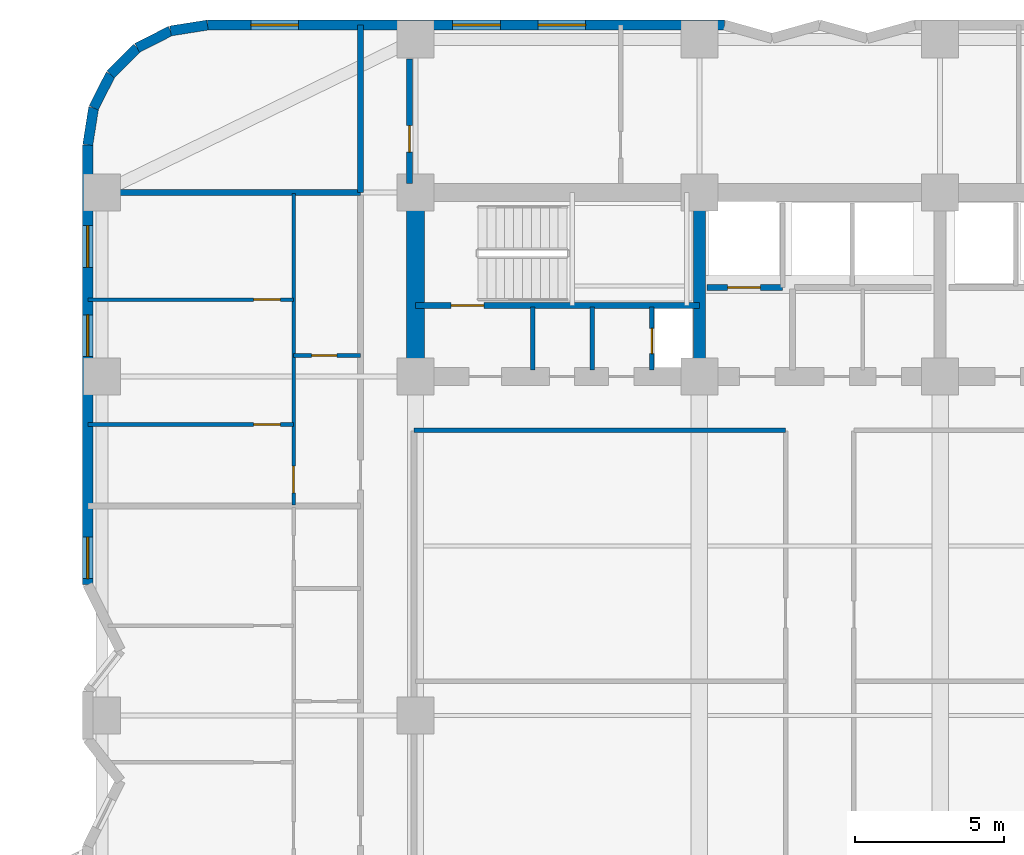
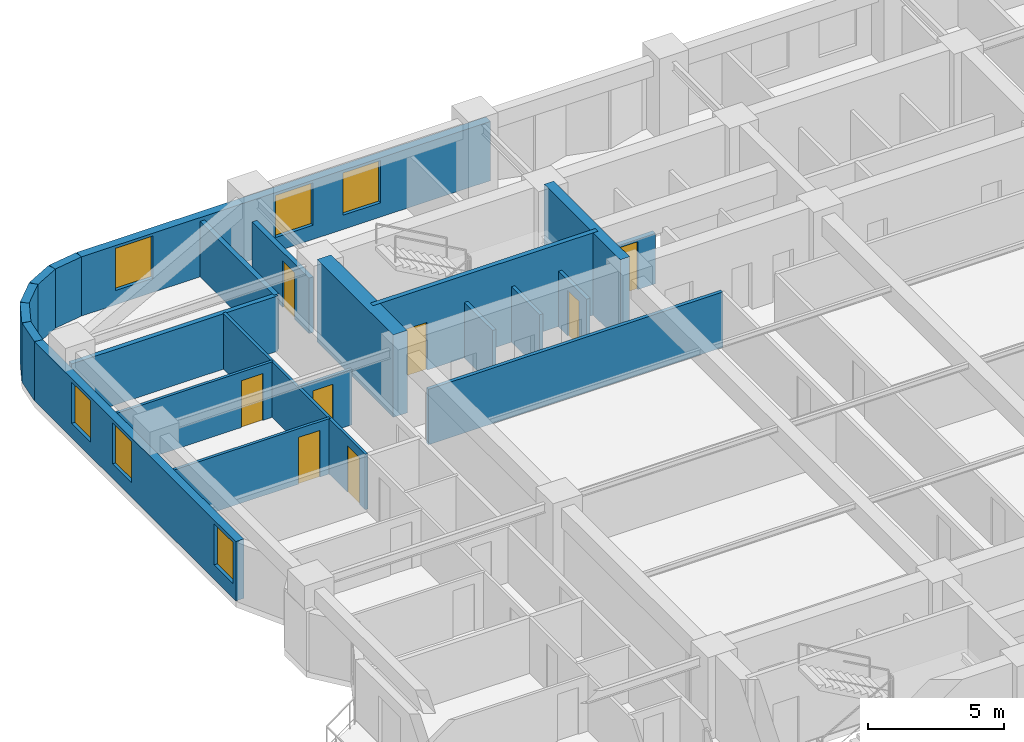
# One storey, part 6 of 10: 22 walls, 8 doors, 6 windows, 14 openings.
"""IFC4 building model written with IfcOpenShell, lengths in metres."""

from ifc_helpers import new_model, si_unit, direction, frame, frame_2d, origin, place, context, subcontext, project, spatial, rectangle, extrude, material, layer, layer_set, type_object, element, fill, save


model = new_model("IFC4")

# Units and contexts
model_context = context("Model", 3, precision=1e-05, world=origin(), true_north=direction((0.0, 1.0)))
body_context = subcontext(model_context, "Body", "Model", "MODEL_VIEW")
ifc_project = project(units=[si_unit("LENGTHUNIT", "METRE"), si_unit("AREAUNIT", "SQUARE_METRE"), si_unit("VOLUMEUNIT", "CUBIC_METRE"), si_unit("PLANEANGLEUNIT", "RADIAN"), si_unit("MASSUNIT", "GRAM", prefix="KILO")], contexts=[model_context])

# Site, building, storey
site_placement = place(None, origin())
site = spatial("IfcSite", under=ifc_project, at=site_placement, CompositionType="ELEMENT")
building_placement = place(site_placement, origin())
building = spatial("IfcBuilding", under=site, at=building_placement, Name="Svetorya Sky Lyceum", CompositionType="ELEMENT")
storey_placement = place(building_placement, frame((0.0, 0.0, 73.199951171875)))
storey = spatial("IfcBuildingStorey", under=building, at=storey_placement, Name="L18", CompositionType="ELEMENT", Elevation=73.199951171875)

# Walls
ifc_material_1 = material(Name="Concrete C40/50", Category="concrete")
ifc_layer_1 = layer(ifc_material_1, 0.39990234375)
ifc_layer_set_1 = layer_set([ifc_layer_1], Name="Concrete C40/50")
wall_type_1 = type_object("IfcWallType", Name="WL-CORE-400", PredefinedType="SHEAR", material=ifc_layer_set_1)
wall_1_placement = place(storey_placement, frame((35.14990234375, 39.89990234375, 0.0), z_axis=(0.0, 0.0, 1.0), x_axis=(0.0, 1.0, 0.0)))
element("IfcWall", 1, at=wall_1_placement, inside=storey, type_object=wall_type_1, Name="L18 NC Internal Shear Web WEB1", PredefinedType="SHEAR", context=body_context, shape_type="SweptSolid", body=[
    extrude(rectangle(XDim=5.60009765625, YDim=0.39990234375, at=frame_2d((2.800048828125, 0.0))), origin(), (0.0, 0.0, 1.0), 3.699951171875),
])
ifc_material_2 = material(Name="Concrete C60/75", Category="concrete")
ifc_layer_2 = layer(ifc_material_2, 0.60009765625)
ifc_layer_set_2 = layer_set([ifc_layer_2], Name="Concrete C60/75")
wall_type_2 = type_object("IfcWallType", Name="WL-CORE-600", PredefinedType="SHEAR", material=ifc_layer_set_2)
wall_2_placement = place(storey_placement, frame((25.60009765625, 39.89990234375, 0.0), z_axis=(0.0, 0.0, 1.0), x_axis=(0.0, 1.0, 0.0)))
element("IfcWall", 2, at=wall_2_placement, inside=storey, type_object=wall_type_2, Name="L18 NC West Core Shear Wall", PredefinedType="SHEAR", context=body_context, shape_type="SweptSolid", body=[
    extrude(rectangle(XDim=5.60009765625, YDim=0.60009765625, at=frame_2d((2.800048828125, 0.0))), origin(), (0.0, 0.0, 1.0), 3.699951171875),
])

# Wall, openings, windows
ifc_material_3 = material(Name="Putilovo limestone rainscreen on autoclaved cellular masonry", Category="masonry")
ifc_layer_3 = layer(ifc_material_3, 0.340087890625)
ifc_layer_set_3 = layer_set([ifc_layer_3], Name="Putilovo limestone rainscreen on autoclaved cellular masonry")
wall_type_3 = type_object("IfcWallType", Name="WL-EXT-340", PredefinedType="SOLIDWALL", material=ifc_layer_set_3)
wall_3_placement = place(storey_placement, frame((36.0, 51.429931640625, 0.0), z_axis=(0.0, 0.0, 1.0), x_axis=(-1.0, 0.0, 0.0)))
wall_3 = element("IfcWall", 3, at=wall_3_placement, inside=storey, type_object=wall_type_3, Name="L18 Limestone Exterior Wall 34M", PredefinedType="SOLIDWALL", context=body_context, shape_type="SweptSolid", body=[
    extrude(rectangle(XDim=17.39990234375, YDim=0.340087890625, at=frame_2d((8.699951171875, 0.0))), origin(), (0.0, 0.0, 1.0), 2.66015625),
])
opening_1_placement = place(wall_3_placement, frame((4.679931640625, 0.0, 0.639892578125)))
opening_1 = element("IfcOpeningElement", 4, at=opening_1_placement, cuts=wall_3, Name="Opening W-R4", PredefinedType="OPENING", context=body_context, shape_type="SweptSolid", body=[
    extrude(rectangle(XDim=1.60009765625, YDim=1.89990234375, at=frame_2d((0.800048828125, 0.949951171875))), frame((0.0, 0.179931640625, 0.0), z_axis=(0.0, -1.0, 0.0), x_axis=(1.0, 0.0, 0.0)), (0.0, 0.0, 1.0), 0.360107421875),
])
opening_2_placement = place(wall_3_placement, frame((7.550048828125, 0.0, 0.639892578125)))
opening_2 = element("IfcOpeningElement", 5, at=opening_2_placement, cuts=wall_3, Name="Opening W-R4", PredefinedType="OPENING", context=body_context, shape_type="SweptSolid", body=[
    extrude(rectangle(XDim=1.60009765625, YDim=1.89990234375, at=frame_2d((0.800048828125, 0.949951171875))), frame((0.0, 0.179931640625, 0.0), z_axis=(0.0, -1.0, 0.0), x_axis=(1.0, 0.0, 0.0)), (0.0, 0.0, 1.0), 0.360107421875),
])
opening_3_placement = place(wall_3_placement, frame((14.340087890625, 0.0, 0.639892578125)))
opening_3 = element("IfcOpeningElement", 6, at=opening_3_placement, cuts=wall_3, Name="Opening W-R4", PredefinedType="OPENING", context=body_context, shape_type="SweptSolid", body=[
    extrude(rectangle(XDim=1.60009765625, YDim=1.89990234375, at=frame_2d((0.800048828125, 0.949951171875))), frame((0.0, 0.179931640625, 0.0), z_axis=(0.0, -1.0, 0.0), x_axis=(1.0, 0.0, 0.0)), (0.0, 0.0, 1.0), 0.360107421875),
])
ifc_material_4 = material(Name="Thermally broken aluminium frame with triple low-E glazing", Category="aluminium")
window_type_1 = type_object("IfcWindowType", Name="WN-RES-160", PartitioningType="DOUBLE_PANEL_VERTICAL", PredefinedType="WINDOW", material=ifc_material_4)
window_1_placement = place(opening_1_placement, origin())
window_1 = element("IfcWindow", 7, at=window_1_placement, inside=storey, type_object=window_type_1, Name="L18 Facade Window W-R4.34M.1", OverallHeight=1.89990234375, OverallWidth=1.60009765625, PartitioningType="SINGLE_PANEL", PredefinedType="WINDOW", context=body_context, shape_type="SweptSolid", body=[
    extrude(rectangle(XDim=1.60009765625, YDim=1.89990234375, at=frame_2d((0.800048828125, 0.949951171875))), frame((0.0, 0.030029296875, 0.0), z_axis=(0.0, -1.0, 0.0), x_axis=(1.0, 0.0, 0.0)), (0.0, 0.0, 1.0), 0.06005859375),
])
fill(opening_1, window_1)
window_2_placement = place(opening_2_placement, origin())
window_2 = element("IfcWindow", 8, at=window_2_placement, inside=storey, type_object=window_type_1, Name="L18 Facade Window W-R4.34M.2", OverallHeight=1.89990234375, OverallWidth=1.60009765625, PartitioningType="SINGLE_PANEL", PredefinedType="WINDOW", context=body_context, shape_type="SweptSolid", body=[
    extrude(rectangle(XDim=1.60009765625, YDim=1.89990234375, at=frame_2d((0.800048828125, 0.949951171875))), frame((0.0, 0.030029296875, 0.0), z_axis=(0.0, -1.0, 0.0), x_axis=(1.0, 0.0, 0.0)), (0.0, 0.0, 1.0), 0.06005859375),
])
fill(opening_2, window_2)
window_3_placement = place(opening_3_placement, origin())
window_3 = element("IfcWindow", 9, at=window_3_placement, inside=storey, type_object=window_type_1, Name="L18 Facade Window W-R4.34M.3", OverallHeight=1.89990234375, OverallWidth=1.60009765625, PartitioningType="SINGLE_PANEL", PredefinedType="WINDOW", context=body_context, shape_type="SweptSolid", body=[
    extrude(rectangle(XDim=1.60009765625, YDim=1.89990234375, at=frame_2d((0.800048828125, 0.949951171875))), frame((0.0, 0.030029296875, 0.0), z_axis=(0.0, -1.0, 0.0), x_axis=(1.0, 0.0, 0.0)), (0.0, 0.0, 1.0), 0.06005859375),
])
fill(opening_3, window_3)

# Walls
wall_4_placement = place(storey_placement, frame((18.60009765625, 51.429931640625, 0.0), z_axis=(0.0, 0.0, 1.0), x_axis=(-0.98771582066, -0.156260864002, 0.0)))
element("IfcWall", 10, at=wall_4_placement, inside=storey, type_object=wall_type_3, Name="L18 Limestone Exterior Wall 35M", PredefinedType="SOLIDWALL", context=body_context, shape_type="SweptSolid", body=[
    extrude(rectangle(XDim=1.2607421875, YDim=0.340087890625, at=frame_2d((0.63037109375, 0.0))), origin(), (0.0, 0.0, 1.0), 2.66015625),
])
for number, where, z_axis, x_axis, name in (
    (11, (17.354736328125, 51.23291015625, 0.0), (0.0, 0.0, 1.0), (-0.890993689142, -0.454015689056, 0.0), "L18 Limestone Exterior Wall 36M"),
    (12, (16.231201171875, 50.660400390625, 0.0), (0.0, 0.0, 1.0), (-0.707106781187, -0.707106781187, 0.0), "L18 Limestone Exterior Wall 37M"),
    (13, (15.339599609375, 49.768798828125, 0.0), (0.0, 0.0, 1.0), (-0.454015689056, -0.890993689142, 0.0), "L18 Limestone Exterior Wall 38M"),
):
    element("IfcWall", number, at=place(storey_placement, frame(where, z_axis=z_axis, x_axis=x_axis)), inside=storey, type_object=wall_type_3, Name=name, PredefinedType="SOLIDWALL", context=body_context, shape_type="SweptSolid", body=[
        extrude(rectangle(XDim=1.260986328125, YDim=0.340087890625, at=frame_2d((0.63037109375, 0.0))), origin(), (0.0, 0.0, 1.0), 2.66015625),
    ])
wall_5_placement = place(storey_placement, frame((14.76708984375, 48.645263671875, 0.0), z_axis=(0.0, 0.0, 1.0), x_axis=(-0.156260864002, -0.98771582066, 0.0)))
element("IfcWall", 14, at=wall_5_placement, inside=storey, type_object=wall_type_3, Name="L18 Limestone Exterior Wall 39M", PredefinedType="SOLIDWALL", context=body_context, shape_type="SweptSolid", body=[
    extrude(rectangle(XDim=1.2607421875, YDim=0.340087890625, at=frame_2d((0.63037109375, 0.0))), origin(), (0.0, 0.0, 1.0), 2.66015625),
])

# Wall, openings, windows
wall_6_placement = place(storey_placement, frame((14.570068359375, 47.39990234375, 0.0), z_axis=(0.0, 0.0, 1.0), x_axis=(0.0, -1.0, 0.0)))
wall_6 = element("IfcWall", 15, at=wall_6_placement, inside=storey, type_object=wall_type_3, Name="L18 Limestone Exterior Wall 40M", PredefinedType="SOLIDWALL", context=body_context, shape_type="SweptSolid", body=[
    extrude(rectangle(XDim=14.7998046875, YDim=0.340087890625, at=frame_2d((7.39990234375, 0.0))), origin(), (0.0, 0.0, 1.0), 2.66015625),
])
opening_4_placement = place(wall_6_placement, frame((2.719970703125, 0.0, 0.64990234375)))
opening_4 = element("IfcOpeningElement", 16, at=opening_4_placement, cuts=wall_6, Name="Opening W-R2", PredefinedType="OPENING", context=body_context, shape_type="SweptSolid", body=[
    extrude(rectangle(XDim=1.39990234375, YDim=1.85009765625, at=frame_2d((0.699951171875, 0.925048828125))), frame((0.0, 0.179931640625, 0.0), z_axis=(0.0, -1.0, 0.0), x_axis=(1.0, 0.0, 0.0)), (0.0, 0.0, 1.0), 0.360107421875),
])
opening_5_placement = place(wall_6_placement, frame((5.719970703125, 0.0, 0.64990234375)))
opening_5 = element("IfcOpeningElement", 17, at=opening_5_placement, cuts=wall_6, Name="Opening W-R2", PredefinedType="OPENING", context=body_context, shape_type="SweptSolid", body=[
    extrude(rectangle(XDim=1.39990234375, YDim=1.85009765625, at=frame_2d((0.699951171875, 0.925048828125))), frame((0.0, 0.179931640625, 0.0), z_axis=(0.0, -1.0, 0.0), x_axis=(1.0, 0.0, 0.0)), (0.0, 0.0, 1.0), 0.360107421875),
])
opening_6_placement = place(wall_6_placement, frame((13.199951171875, 0.0, 0.64990234375)))
opening_6 = element("IfcOpeningElement", 18, at=opening_6_placement, cuts=wall_6, Name="Opening W-R2", PredefinedType="OPENING", context=body_context, shape_type="SweptSolid", body=[
    extrude(rectangle(XDim=1.39990234375, YDim=1.85009765625, at=frame_2d((0.699951171875, 0.925048828125))), frame((0.0, 0.179931640625, 0.0), z_axis=(0.0, -1.0, 0.0), x_axis=(1.0, 0.0, 0.0)), (0.0, 0.0, 1.0), 0.360107421875),
])
window_type_2 = type_object("IfcWindowType", Name="WN-RES-140", PartitioningType="SINGLE_PANEL", PredefinedType="WINDOW", material=ifc_material_4)
window_4_placement = place(opening_4_placement, origin())
window_4 = element("IfcWindow", 19, at=window_4_placement, inside=storey, type_object=window_type_2, Name="L18 Facade Window W-R2.40M.3", OverallHeight=1.85009765625, OverallWidth=1.39990234375, PartitioningType="SINGLE_PANEL", PredefinedType="WINDOW", context=body_context, shape_type="SweptSolid", body=[
    extrude(rectangle(XDim=1.39990234375, YDim=1.85009765625, at=frame_2d((0.699951171875, 0.925048828125))), frame((0.0, 0.030029296875, 0.0), z_axis=(0.0, -1.0, 0.0), x_axis=(1.0, 0.0, 0.0)), (0.0, 0.0, 1.0), 0.06005859375),
])
fill(opening_4, window_4)
window_5_placement = place(opening_5_placement, origin())
window_5 = element("IfcWindow", 20, at=window_5_placement, inside=storey, type_object=window_type_2, Name="L18 Facade Window W-R2.40M.2", OverallHeight=1.85009765625, OverallWidth=1.39990234375, PartitioningType="SINGLE_PANEL", PredefinedType="WINDOW", context=body_context, shape_type="SweptSolid", body=[
    extrude(rectangle(XDim=1.39990234375, YDim=1.85009765625, at=frame_2d((0.699951171875, 0.925048828125))), frame((0.0, 0.030029296875, 0.0), z_axis=(0.0, -1.0, 0.0), x_axis=(1.0, 0.0, 0.0)), (0.0, 0.0, 1.0), 0.06005859375),
])
fill(opening_5, window_5)
window_6_placement = place(opening_6_placement, origin())
window_6 = element("IfcWindow", 21, at=window_6_placement, inside=storey, type_object=window_type_2, Name="L18 Facade Window W-R2.40M.1", OverallHeight=1.85009765625, OverallWidth=1.39990234375, PartitioningType="SINGLE_PANEL", PredefinedType="WINDOW", context=body_context, shape_type="SweptSolid", body=[
    extrude(rectangle(XDim=1.39990234375, YDim=1.85009765625, at=frame_2d((0.699951171875, 0.925048828125))), frame((0.0, 0.030029296875, 0.0), z_axis=(0.0, -1.0, 0.0), x_axis=(1.0, 0.0, 0.0)), (0.0, 0.0, 1.0), 0.06005859375),
])
fill(opening_6, window_6)

# Wall, opening, door
ifc_material_5 = material(Name="Twin-stud galvanized framing with double fireboard", Category="gypsum")
ifc_layer_4 = layer(ifc_material_5, 0.1201171875)
ifc_layer_set_4 = layer_set([ifc_layer_4], Name="Twin-stud galvanized framing with double fireboard")
wall_type_4 = type_object("IfcWallType", Name="WL-PART-120", PredefinedType="PARTITIONING", material=ifc_layer_set_4)
wall_7_placement = place(storey_placement, frame((21.5, 40.31005859375, 0.0), z_axis=(0.0, 0.0, 1.0), x_axis=(1.0, 0.0, 0.0)))
wall_7 = element("IfcWall", 22, at=wall_7_placement, inside=storey, type_object=wall_type_4, Name="L18 Interior Partition W3-WH1", PredefinedType="PARTITIONING", context=body_context, shape_type="SweptSolid", body=[
    extrude(rectangle(XDim=2.25, YDim=0.1201171875, at=frame_2d((1.125, 0.0))), origin(), (0.0, 0.0, 1.0), 2.489990234375),
])
opening_7_placement = place(wall_7_placement, frame((0.60009765625, 0.0, 0.0)))
opening_7 = element("IfcOpeningElement", 23, at=opening_7_placement, cuts=wall_7, Name="Opening D-BT1", PredefinedType="OPENING", context=body_context, shape_type="SweptSolid", body=[
    extrude(rectangle(XDim=0.85009765625, YDim=2.10009765625, at=frame_2d((0.425048828125, 1.050048828125))), frame((0.0, 0.070068359375, 0.0), z_axis=(0.0, -1.0, 0.0), x_axis=(1.0, 0.0, 0.0)), (0.0, 0.0, 1.0), 0.14013671875),
])
ifc_material_6 = material(Name="Moisture-resistant laminate bathroom door")
door_type_1 = type_object("IfcDoorType", Name="DR-WET-850", OperationType="SINGLE_SWING_LEFT", PredefinedType="DOOR", material=ifc_material_6)
door_1_placement = place(opening_7_placement, origin())
door_1 = element("IfcDoor", 24, at=door_1_placement, inside=storey, type_object=door_type_1, Name="Apartment W3 Bathroom Door", OperationType="SINGLE_SWING_LEFT", OverallHeight=2.10009765625, OverallWidth=0.85009765625, PredefinedType="DOOR", context=body_context, shape_type="SweptSolid", body=[
    extrude(rectangle(XDim=0.85009765625, YDim=2.10009765625, at=frame_2d((0.425048828125, 1.050048828125))), frame((0.0, 0.02490234375, 0.0), z_axis=(0.0, -1.0, 0.0), x_axis=(1.0, 0.0, 0.0)), (0.0, 0.0, 1.0), 0.050048828125),
])
fill(opening_7, door_1)

wall_8_placement = place(storey_placement, frame((14.570068359375, 37.989990234375, 0.0), z_axis=(0.0, 0.0, 1.0), x_axis=(1.0, 0.0, 0.0)))
wall_8 = element("IfcWall", 25, at=wall_8_placement, inside=storey, type_object=wall_type_4, Name="L18 Interior Partition W3-WL1", PredefinedType="PARTITIONING", context=body_context, shape_type="SweptSolid", body=[
    extrude(rectangle(XDim=6.929931640625, YDim=0.1201171875, at=frame_2d((3.46484375, 0.0))), origin(), (0.0, 0.0, 1.0), 2.489990234375),
])
opening_8_placement = place(wall_8_placement, frame((5.580078125, 0.0, 0.0)))
opening_8 = element("IfcOpeningElement", 26, at=opening_8_placement, cuts=wall_8, Name="Opening D-RM1", PredefinedType="OPENING", context=body_context, shape_type="SweptSolid", body=[
    extrude(rectangle(XDim=0.89990234375, YDim=2.10009765625, at=frame_2d((0.449951171875, 1.050048828125))), frame((0.0, 0.070068359375, 0.0), z_axis=(0.0, -1.0, 0.0), x_axis=(1.0, 0.0, 0.0)), (0.0, 0.0, 1.0), 0.14013671875),
])
ifc_material_7 = material(Name="Lacquered birch veneer internal door")
door_type_2 = type_object("IfcDoorType", Name="DR-INT-900", OperationType="SINGLE_SWING_LEFT", PredefinedType="DOOR", material=ifc_material_7)
door_2_placement = place(opening_8_placement, origin())
door_2 = element("IfcDoor", 27, at=door_2_placement, inside=storey, type_object=door_type_2, Name="Apartment W3 Master Bedroom Door", OperationType="SINGLE_SWING_LEFT", OverallHeight=2.10009765625, OverallWidth=0.89990234375, PredefinedType="DOOR", context=body_context, shape_type="SweptSolid", body=[
    extrude(rectangle(XDim=0.89990234375, YDim=2.10009765625, at=frame_2d((0.449951171875, 1.050048828125))), frame((0.0, 0.02490234375, 0.0), z_axis=(0.0, -1.0, 0.0), x_axis=(1.0, 0.0, 0.0)), (0.0, 0.0, 1.0), 0.050048828125),
])
fill(opening_8, door_2)

wall_9_placement = place(storey_placement, frame((14.570068359375, 42.18994140625, 0.0), z_axis=(0.0, 0.0, 1.0), x_axis=(1.0, 0.0, 0.0)))
wall_9 = element("IfcWall", 28, at=wall_9_placement, inside=storey, type_object=wall_type_4, Name="L18 Interior Partition W3-WL2", PredefinedType="PARTITIONING", context=body_context, shape_type="SweptSolid", body=[
    extrude(rectangle(XDim=6.929931640625, YDim=0.1201171875, at=frame_2d((3.46484375, 0.0))), origin(), (0.0, 0.0, 1.0), 2.489990234375),
])
opening_9_placement = place(wall_9_placement, frame((5.580078125, 0.0, 0.0)))
opening_9 = element("IfcOpeningElement", 29, at=opening_9_placement, cuts=wall_9, Name="Opening D-RM1", PredefinedType="OPENING", context=body_context, shape_type="SweptSolid", body=[
    extrude(rectangle(XDim=0.89990234375, YDim=2.10009765625, at=frame_2d((0.449951171875, 1.050048828125))), frame((0.0, 0.070068359375, 0.0), z_axis=(0.0, -1.0, 0.0), x_axis=(1.0, 0.0, 0.0)), (0.0, 0.0, 1.0), 0.14013671875),
])
door_3_placement = place(opening_9_placement, origin())
door_3 = element("IfcDoor", 30, at=door_3_placement, inside=storey, type_object=door_type_2, Name="Apartment W3 Bedroom 2 Door", OperationType="SINGLE_SWING_RIGHT", OverallHeight=2.10009765625, OverallWidth=0.89990234375, PredefinedType="DOOR", context=body_context, shape_type="SweptSolid", body=[
    extrude(rectangle(XDim=0.89990234375, YDim=2.10009765625, at=frame_2d((0.449951171875, 1.050048828125))), frame((0.0, 0.02490234375, 0.0), z_axis=(0.0, -1.0, 0.0), x_axis=(1.0, 0.0, 0.0)), (0.0, 0.0, 1.0), 0.050048828125),
])
fill(opening_9, door_3)

wall_10_placement = place(storey_placement, frame((21.5, 35.280029296875, 0.0), z_axis=(0.0, 0.0, 1.0), x_axis=(0.0, 1.0, 0.0)))
wall_10 = element("IfcWall", 31, at=wall_10_placement, inside=storey, type_object=wall_type_4, Name="L18 Interior Partition W3-WV", PredefinedType="PARTITIONING", context=body_context, shape_type="SweptSolid", body=[
    extrude(rectangle(XDim=10.47998046875, YDim=0.1201171875, at=frame_2d((5.239990234375, 0.0))), origin(), (0.0, 0.0, 1.0), 2.489990234375),
])
opening_10_placement = place(wall_10_placement, frame((0.409912109375, 0.0, 0.0)))
opening_10 = element("IfcOpeningElement", 32, at=opening_10_placement, cuts=wall_10, Name="Opening D-RM1", PredefinedType="OPENING", context=body_context, shape_type="SweptSolid", body=[
    extrude(rectangle(XDim=0.89990234375, YDim=2.10009765625, at=frame_2d((0.449951171875, 1.050048828125))), frame((0.0, 0.070068359375, 0.0), z_axis=(0.0, -1.0, 0.0), x_axis=(1.0, 0.0, 0.0)), (0.0, 0.0, 1.0), 0.14013671875),
])
door_4_placement = place(opening_10_placement, origin())
door_4 = element("IfcDoor", 33, at=door_4_placement, inside=storey, type_object=door_type_2, Name="Apartment W3 Living Door", OperationType="SINGLE_SWING_RIGHT", OverallHeight=2.10009765625, OverallWidth=0.89990234375, PredefinedType="DOOR", context=body_context, shape_type="SweptSolid", body=[
    extrude(rectangle(XDim=0.89990234375, YDim=2.10009765625, at=frame_2d((0.449951171875, 1.050048828125))), frame((0.0, 0.02490234375, 0.0), z_axis=(0.0, -1.0, 0.0), x_axis=(1.0, 0.0, 0.0)), (0.0, 0.0, 1.0), 0.050048828125),
])
fill(opening_10, door_4)

ifc_material_8 = material(Name="Autoclaved cellular masonry blockwork with acoustic render", Category="masonry")
ifc_layer_5 = layer(ifc_material_8, 0.14990234375)
ifc_layer_set_5 = layer_set([ifc_layer_5], Name="Autoclaved cellular masonry blockwork with acoustic render")
wall_type_5 = type_object("IfcWallType", Name="WL-PART-150", PredefinedType="PARTITIONING", material=ifc_layer_set_5)
wall_11_placement = place(storey_placement, frame((33.550048828125, 39.820068359375, 0.0), z_axis=(0.0, 0.0, 1.0), x_axis=(0.0, 1.0, 0.0)))
wall_11 = element("IfcWall", 34, at=wall_11_placement, inside=storey, type_object=wall_type_5, Name="L18 Interior Partition NC-RSRW", PredefinedType="PARTITIONING", context=body_context, shape_type="SweptSolid", body=[
    extrude(rectangle(XDim=2.1298828125, YDim=0.14990234375, at=frame_2d((1.06494140625, 0.0))), origin(), (0.0, 0.0, 1.0), 2.489990234375),
])
opening_11_placement = place(wall_11_placement, frame((0.550048828125, 0.0, 0.0)))
opening_11 = element("IfcOpeningElement", 35, at=opening_11_placement, cuts=wall_11, Name="Opening D-SH1", PredefinedType="OPENING", context=body_context, shape_type="SweptSolid", body=[
    extrude(rectangle(XDim=0.85009765625, YDim=2.050048828125, at=frame_2d((0.425048828125, 1.02490234375))), frame((0.0, 0.0849609375, 0.0), z_axis=(0.0, -1.0, 0.0), x_axis=(1.0, 0.0, 0.0)), (0.0, 0.0, 1.0), 0.169921875),
])
ifc_material_9 = material(Name="Insulated galvanized riser inspection fire door")
door_type_3 = type_object("IfcDoorType", Name="DR-SHFT-850", OperationType="SINGLE_SWING_LEFT", PredefinedType="TRAPDOOR", material=ifc_material_9)
door_5_placement = place(opening_11_placement, origin())
door_5 = element("IfcDoor", 36, at=door_5_placement, inside=storey, type_object=door_type_3, Name="L18 North Riser Access Door", OperationType="SINGLE_SWING_LEFT", OverallHeight=2.050048828125, OverallWidth=0.85009765625, PredefinedType="TRAPDOOR", context=body_context, shape_type="SweptSolid", body=[
    extrude(rectangle(XDim=0.85009765625, YDim=2.050048828125, at=frame_2d((0.425048828125, 1.02490234375))), frame((0.0, 0.02490234375, 0.0), z_axis=(0.0, -1.0, 0.0), x_axis=(1.0, 0.0, 0.0)), (0.0, 0.0, 1.0), 0.050048828125),
])
fill(opening_11, door_5)

# Walls
for number, where, z_axis, x_axis, name in (
    (37, (29.550048828125, 39.820068359375, 0.0), (0.0, 0.0, 1.0), (0.0, 1.0, 0.0), "L18 Interior Partition NC-NWD1"),
    (38, (31.550048828125, 39.820068359375, 0.0), (0.0, 0.0, 1.0), (0.0, 1.0, 0.0), "L18 Interior Partition NC-NWD2"),
):
    element("IfcWall", number, at=place(storey_placement, frame(where, z_axis=z_axis, x_axis=x_axis)), inside=storey, type_object=wall_type_5, Name=name, PredefinedType="PARTITIONING", context=body_context, shape_type="SweptSolid", body=[
        extrude(rectangle(XDim=2.1298828125, YDim=0.14990234375, at=frame_2d((1.06494140625, 0.0))), origin(), (0.0, 0.0, 1.0), 2.489990234375),
    ])
wall_12_placement = place(storey_placement, frame((25.550048828125, 37.800048828125, 0.0), z_axis=(0.0, 0.0, 1.0), x_axis=(1.0, 0.0, 0.0)))
element("IfcWall", 39, at=wall_12_placement, inside=storey, type_object=wall_type_5, Name="L18 Interior Partition CN-MID-W", PredefinedType="PARTITIONING", context=body_context, shape_type="SweptSolid", body=[
    extrude(rectangle(XDim=12.5, YDim=0.14990234375, at=frame_2d((6.25, 0.0))), origin(), (0.0, 0.0, 1.0), 2.489990234375),
])

# Wall, opening, door
ifc_material_10 = material(Name="Autoclaved cellular masonry blockwork with gypsum plaster", Category="masonry")
ifc_layer_6 = layer(ifc_material_10, 0.199951171875)
ifc_layer_set_6 = layer_set([ifc_layer_6], Name="Autoclaved cellular masonry blockwork with gypsum plaster")
wall_type_6 = type_object("IfcWallType", Name="WL-PART-200", PredefinedType="PARTITIONING", material=ifc_layer_set_6)
wall_13_placement = place(storey_placement, frame((37.949951171875, 42.60009765625, 0.0), z_axis=(0.0, 0.0, 1.0), x_axis=(-1.0, 0.0, 0.0)))
wall_13 = element("IfcWall", 40, at=wall_13_placement, inside=storey, type_object=wall_type_6, Name="L18 Interior Partition NC-FL1W", PredefinedType="PARTITIONING", context=body_context, shape_type="SweptSolid", body=[
    extrude(rectangle(XDim=2.550048828125, YDim=0.199951171875, at=frame_2d((1.27490234375, 0.0))), origin(), (0.0, 0.0, 1.0), 2.260009765625),
])
opening_12_placement = place(wall_13_placement, frame((0.75, 0.0, 0.0)))
opening_12 = element("IfcOpeningElement", 41, at=opening_12_placement, cuts=wall_13, Name="Opening LD-FL", PredefinedType="OPENING", context=body_context, shape_type="SweptSolid", body=[
    extrude(rectangle(XDim=1.10009765625, YDim=2.14990234375, at=frame_2d((0.550048828125, 1.074951171875))), frame((0.0, 0.10986328125, 0.0), z_axis=(0.0, -1.0, 0.0), x_axis=(1.0, 0.0, 0.0)), (0.0, 0.0, 1.0), 0.219970703125),
])
ifc_material_11 = material(Name="Fire-rated stainless AISI 304 firefighting lift landing door")
door_type_4 = type_object("IfcDoorType", Name="DR-LIFT-1100", OperationType="SLIDING_TO_LEFT", PredefinedType="DOOR", material=ifc_material_11)
door_6_placement = place(opening_12_placement, origin())
door_6 = element("IfcDoor", 42, at=door_6_placement, inside=storey, type_object=door_type_4, Name="L18 Firefighting Lift FL1 Landing Door", OperationType="SLIDING_TO_LEFT", OverallHeight=2.14990234375, OverallWidth=1.10009765625, PredefinedType="DOOR", context=body_context, shape_type="SweptSolid", body=[
    extrude(rectangle(XDim=1.10009765625, YDim=2.14990234375, at=frame_2d((0.550048828125, 1.074951171875))), frame((0.0, 0.02490234375, 0.0), z_axis=(0.0, -1.0, 0.0), x_axis=(1.0, 0.0, 0.0)), (0.0, 0.0, 1.0), 0.050048828125),
])
fill(opening_12, door_6)

# Walls
wall_14_placement = place(storey_placement, frame((14.989990234375, 45.800048828125, 0.0), z_axis=(0.0, 0.0, 1.0), x_axis=(1.0, 0.0, 0.0)))
element("IfcWall", 43, at=wall_14_placement, inside=storey, type_object=wall_type_6, Name="L18 Interior Partition W-CAP-N", PredefinedType="PARTITIONING", context=body_context, shape_type="SweptSolid", body=[
    extrude(rectangle(XDim=8.760009765625, YDim=0.199951171875, at=frame_2d((4.3798828125, 0.0))), origin(), (0.0, 0.0, 1.0), 2.489990234375),
])
wall_15_placement = place(storey_placement, frame((23.75, 45.800048828125, 0.0), z_axis=(0.0, 0.0, 1.0), x_axis=(0.0, 1.0, 0.0)))
element("IfcWall", 44, at=wall_15_placement, inside=storey, type_object=wall_type_6, Name="L18 Interior Partition WC-NW-END", PredefinedType="PARTITIONING", context=body_context, shape_type="SweptSolid", body=[
    extrude(rectangle(XDim=5.6298828125, YDim=0.199951171875, at=frame_2d((2.81494140625, 0.0))), origin(), (0.0, 0.0, 1.0), 2.489990234375),
])

# Wall, opening, door
wall_16_placement = place(storey_placement, frame((25.39990234375, 46.10009765625, 0.0), z_axis=(0.0, 0.0, 1.0), x_axis=(0.0, 1.0, 0.0)))
wall_16 = element("IfcWall", 45, at=wall_16_placement, inside=storey, type_object=wall_type_6, Name="L18 Interior Partition N-EW", PredefinedType="PARTITIONING", context=body_context, shape_type="SweptSolid", body=[
    extrude(rectangle(XDim=4.179931640625, YDim=0.199951171875, at=frame_2d((2.08984375, 0.0))), origin(), (0.0, 0.0, 1.0), 2.489990234375),
])
opening_13_placement = place(wall_16_placement, frame((1.050048828125, 0.0, 0.0)))
opening_13 = element("IfcOpeningElement", 46, at=opening_13_placement, cuts=wall_16, Name="Opening D-RM1", PredefinedType="OPENING", context=body_context, shape_type="SweptSolid", body=[
    extrude(rectangle(XDim=0.89990234375, YDim=2.10009765625, at=frame_2d((0.449951171875, 1.050048828125))), frame((0.0, 0.10986328125, 0.0), z_axis=(0.0, -1.0, 0.0), x_axis=(1.0, 0.0, 0.0)), (0.0, 0.0, 1.0), 0.219970703125),
])
door_7_placement = place(opening_13_placement, origin())
door_7 = element("IfcDoor", 47, at=door_7_placement, inside=storey, type_object=door_type_2, Name="L18 North Study Door", OperationType="SINGLE_SWING_RIGHT", OverallHeight=2.10009765625, OverallWidth=0.89990234375, PredefinedType="DOOR", context=body_context, shape_type="SweptSolid", body=[
    extrude(rectangle(XDim=0.89990234375, YDim=2.10009765625, at=frame_2d((0.449951171875, 1.050048828125))), frame((0.0, 0.02490234375, 0.0), z_axis=(0.0, -1.0, 0.0), x_axis=(1.0, 0.0, 0.0)), (0.0, 0.0, 1.0), 0.050048828125),
])
fill(opening_13, door_7)

ifc_material_12 = material(Name="Concrete C50/60", Category="concrete")
ifc_layer_7 = layer(ifc_material_12, 0.199951171875)
ifc_layer_set_7 = layer_set([ifc_layer_7], Name="Concrete C50/60")
wall_type_7 = type_object("IfcWallType", Name="WL-SHW-200", PredefinedType="SHEAR", material=ifc_layer_set_7)
wall_17_placement = place(storey_placement, frame((35.14990234375, 42.0, 0.0), z_axis=(0.0, 0.0, 1.0), x_axis=(-1.0, 0.0, 0.0)))
wall_17 = element("IfcWall", 48, at=wall_17_placement, inside=storey, type_object=wall_type_7, Name="L18 Structural Stair Shaft Wall NC-STW", PredefinedType="SHEAR", context=body_context, shape_type="SweptSolid", body=[
    extrude(rectangle(XDim=9.5498046875, YDim=0.199951171875, at=frame_2d((4.77490234375, 0.0))), origin(), (0.0, 0.0, 1.0), 3.699951171875),
])
opening_14_placement = place(wall_17_placement, frame((7.25, 0.0, 0.0)))
opening_14 = element("IfcOpeningElement", 49, at=opening_14_placement, cuts=wall_17, Name="Opening D-ST1", PredefinedType="OPENING", context=body_context, shape_type="SweptSolid", body=[
    extrude(rectangle(XDim=1.10009765625, YDim=2.14990234375, at=frame_2d((0.550048828125, 1.074951171875))), frame((0.0, 0.10986328125, 0.0), z_axis=(0.0, -1.0, 0.0), x_axis=(1.0, 0.0, 0.0)), (0.0, 0.0, 1.0), 0.219970703125),
])
ifc_material_13 = material(Name="Powder-coated insulated galvanized stair fire door")
door_type_5 = type_object("IfcDoorType", Name="DR-FIRE-1100", OperationType="SINGLE_SWING_LEFT", PredefinedType="DOOR", material=ifc_material_13)
door_8_placement = place(opening_14_placement, origin())
door_8 = element("IfcDoor", 50, at=door_8_placement, inside=storey, type_object=door_type_5, Name="L18 Stair ST-N Vestibule Fire Door", OperationType="SINGLE_SWING_RIGHT", OverallHeight=2.14990234375, OverallWidth=1.10009765625, PredefinedType="DOOR", context=body_context, shape_type="SweptSolid", body=[
    extrude(rectangle(XDim=1.10009765625, YDim=2.14990234375, at=frame_2d((0.550048828125, 1.074951171875))), frame((0.0, 0.02490234375, 0.0), z_axis=(0.0, -1.0, 0.0), x_axis=(1.0, 0.0, 0.0)), (0.0, 0.0, 1.0), 0.050048828125),
])
fill(opening_14, door_8)

save(model, "model.ifc")
